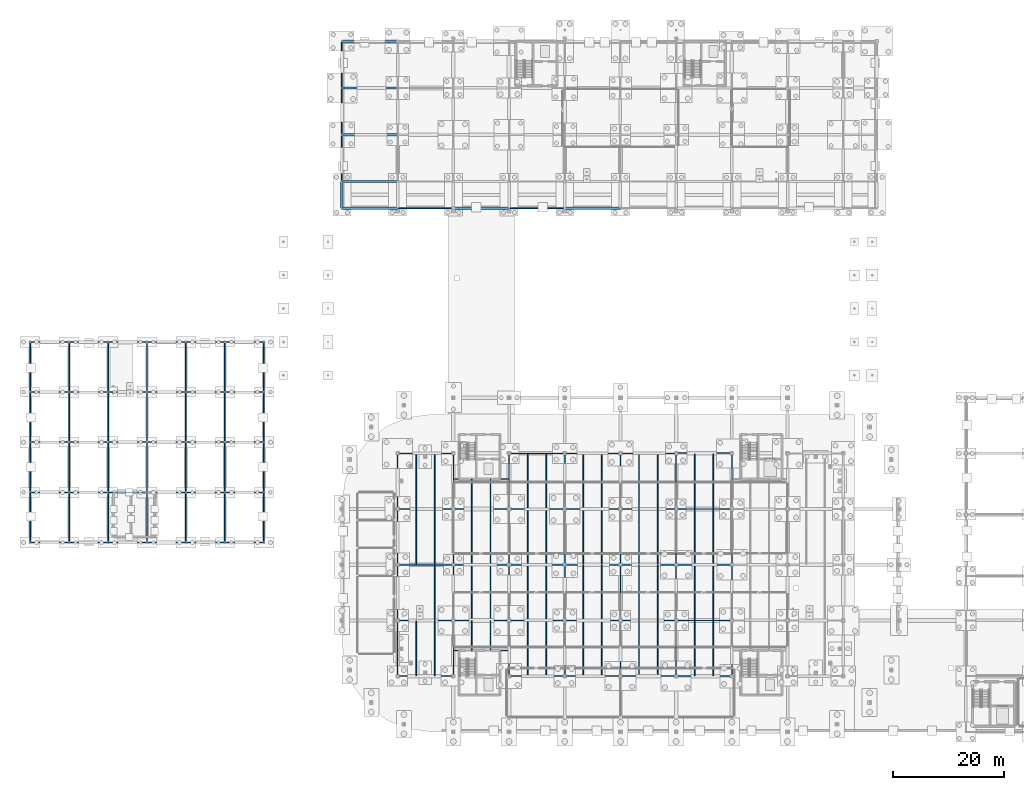
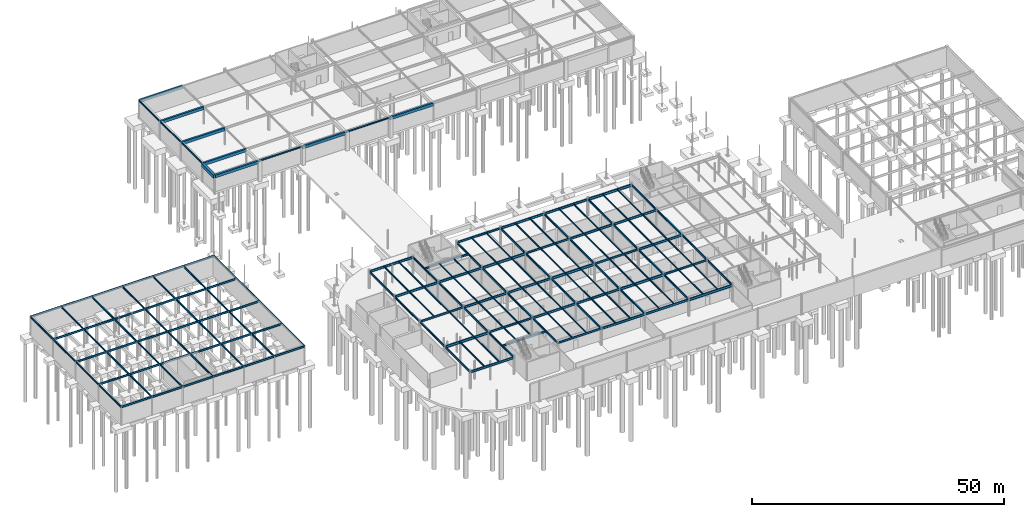
# One storey, part 57 of 75: 176 beams.
"""IFC4 building model written with IfcOpenShell, lengths in metres."""

from ifc_helpers import new_model, si_unit, derived_unit, direction, frame, origin, origin_2d_with_axis, place, context, subcontext, project, spatial, rectangle, i_section, extrude, material, material_profile, profile_set, type_object, element, save


model = new_model("IFC4")

# Units and contexts
model_context = context("Model", 3, precision=1e-05, world=origin(), true_north=direction((0.0, 1.0)))
body_context = subcontext(model_context, "Body", "Model", "MODEL_VIEW")
ifc_project = project(units=[si_unit("LENGTHUNIT", "METRE"), si_unit("AREAUNIT", "SQUARE_METRE"), si_unit("VOLUMEUNIT", "CUBIC_METRE"), si_unit("PLANEANGLEUNIT", "RADIAN"), si_unit("MASSUNIT", "GRAM", prefix="KILO"), derived_unit("THERMALTRANSMITTANCEUNIT", [(si_unit("POWERUNIT", "WATT"), 1), (si_unit("LENGTHUNIT", "METRE"), -2), (si_unit("THERMODYNAMICTEMPERATUREUNIT", "KELVIN"), -1)])], contexts=[model_context])

# Site, building, storey
site_placement = place(None, origin())
site = spatial("IfcSite", under=ifc_project, at=site_placement, CompositionType="ELEMENT")
building_placement = place(site_placement, origin())
building = spatial("IfcBuilding", under=site, at=building_placement, Name="Cinnabar Yard Market Hall", CompositionType="ELEMENT")
storey_placement = place(building_placement, frame((0.0, 0.0, -4.5)))
storey = spatial("IfcBuildingStorey", under=building, at=storey_placement, Name="B1", CompositionType="ELEMENT", Elevation=-4.5)

# Beams
ifc_material_1 = material(Name="Steel Grade 300 (300 MPa)", Category="steel")
ifc_material_profile_1 = material_profile(ifc_material_1, i_section(OverallWidth=0.208984375, OverallDepth=0.532958984375, WebThickness=0.01025390625, FlangeThickness=0.015625, FilletRadius=0.013916015625, at=origin_2d_with_axis()), Name="530UB92.4")
ifc_profile_set_1 = profile_set([ifc_material_profile_1], Name="Steel Grade 300 (300 MPa)")
beam_type_1 = type_object("IfcBeamType", Name="BM-B03", PredefinedType="BEAM", material=ifc_profile_set_1)
for number, where, z_axis, x_axis, name in (
    (1, (76.0, 54.0, 3.93359375), (1.0, 0.0, 0.0), (0.0, 1.0, 0.0), "L00 Primary Girder X 00004"),
    (2, (86.0, 44.0, 3.93359375), (1.0, 0.0, 0.0), (0.0, 1.0, 0.0), "L00 Primary Girder X 00007"),
    (3, (96.0, 34.0, 3.93359375), (1.0, 0.0, 0.0), (0.0, 1.0, 0.0), "L00 Primary Girder X 00010"),
    (4, (106.0, 24.0, 3.93359375), (1.0, 0.0, 0.0), (0.0, 1.0, 0.0), "L00 Primary Girder X 00014"),
    (5, (106.0, 64.0, 3.93359375), (1.0, 0.0, 0.0), (0.0, 1.0, 0.0), "L00 Primary Girder X 00018"),
    (6, (116.0, 54.0, 3.93359375), (1.0, 0.0, 0.0), (0.0, 1.0, 0.0), "L00 Primary Girder X 00022"),
    (7, (126.0, 44.0, 3.93359375), (1.0, 0.0, 0.0), (0.0, 1.0, 0.0), "L00 Primary Girder X 00026"),
):
    element("IfcBeam", number, at=place(storey_placement, frame(where, z_axis=z_axis, x_axis=x_axis)), inside=storey, type_object=beam_type_1, Name=name, PredefinedType="BEAM", context=body_context, shape_type="SweptSolid", body=[
        extrude(i_section(OverallWidth=0.208984375, OverallDepth=0.532958984375, WebThickness=0.01025390625, FlangeThickness=0.015625, FilletRadius=0.013916015625, at=origin_2d_with_axis()), origin(), (0.0, 0.0, 1.0), 10.0),
    ])
ifc_material_profile_2 = material_profile(ifc_material_1, i_section(OverallWidth=0.19091796875, OverallDepth=0.46044921875, WebThickness=0.010009765625, FlangeThickness=0.01611328125, FilletRadius=0.011474609375, at=origin_2d_with_axis()), Name="460UB82.1")
ifc_profile_set_2 = profile_set([ifc_material_profile_2], Name="Steel Grade 300 (300 MPa)")
beam_type_2 = type_object("IfcBeamType", Name="BM-B04", PredefinedType="BEAM", material=ifc_profile_set_2)
for number, where, z_axis, x_axis, name in (
    (8, (76.0, 24.0, 3.9697265625), (0.0, 1.0, 0.0), (-1.0, 0.0, 0.0), "L00 Primary Girder Y 00037"),
    (9, (76.0, 34.0, 3.9697265625), (0.0, 1.0, 0.0), (-1.0, 0.0, 0.0), "L00 Primary Girder Y 00040"),
    (10, (76.0, 44.0, 3.9697265625), (0.0, 1.0, 0.0), (-1.0, 0.0, 0.0), "L00 Primary Girder Y 00042"),
    (11, (76.0, 54.0, 3.9697265625), (0.0, 1.0, 0.0), (-1.0, 0.0, 0.0), "L00 Primary Girder Y 00045"),
    (12, (86.0, 24.0, 3.9697265625), (0.0, 1.0, 0.0), (-1.0, 0.0, 0.0), "L00 Primary Girder Y 00048"),
    (13, (86.0, 34.0, 3.9697265625), (0.0, 1.0, 0.0), (-1.0, 0.0, 0.0), "L00 Primary Girder Y 00051"),
    (14, (86.0, 44.0, 3.9697265625), (0.0, 1.0, 0.0), (-1.0, 0.0, 0.0), "L00 Primary Girder Y 00054"),
    (15, (86.0, 54.0, 3.9697265625), (0.0, 1.0, 0.0), (-1.0, 0.0, 0.0), "L00 Primary Girder Y 00057"),
    (16, (96.0, 24.0, 3.9697265625), (0.0, 1.0, 0.0), (-1.0, 0.0, 0.0), "L00 Primary Girder Y 00060"),
    (17, (96.0, 34.0, 3.9697265625), (0.0, 1.0, 0.0), (-1.0, 0.0, 0.0), "L00 Primary Girder Y 00063"),
    (18, (96.0, 44.0, 3.9697265625), (0.0, 1.0, 0.0), (-1.0, 0.0, 0.0), "L00 Primary Girder Y 00066"),
    (19, (96.0, 54.0, 3.9697265625), (0.0, 1.0, 0.0), (-1.0, 0.0, 0.0), "L00 Primary Girder Y 00069"),
    (20, (106.0, 24.0, 3.9697265625), (0.0, 1.0, 0.0), (-1.0, 0.0, 0.0), "L00 Primary Girder Y 00072"),
    (21, (106.0, 34.0, 3.9697265625), (0.0, 1.0, 0.0), (-1.0, 0.0, 0.0), "L00 Primary Girder Y 00075"),
    (22, (106.0, 44.0, 3.9697265625), (0.0, 1.0, 0.0), (-1.0, 0.0, 0.0), "L00 Primary Girder Y 00078"),
    (23, (106.0, 54.0, 3.9697265625), (0.0, 1.0, 0.0), (-1.0, 0.0, 0.0), "L00 Primary Girder Y 00081"),
    (24, (116.0, 24.0, 3.9697265625), (0.0, 1.0, 0.0), (-1.0, 0.0, 0.0), "L00 Primary Girder Y 00084"),
    (25, (116.0, 34.0, 3.9697265625), (0.0, 1.0, 0.0), (-1.0, 0.0, 0.0), "L00 Primary Girder Y 00087"),
    (26, (116.0, 44.0, 3.9697265625), (0.0, 1.0, 0.0), (-1.0, 0.0, 0.0), "L00 Primary Girder Y 00090"),
    (27, (116.0, 54.0, 3.9697265625), (0.0, 1.0, 0.0), (-1.0, 0.0, 0.0), "L00 Primary Girder Y 00093"),
    (28, (126.0, 24.0, 3.9697265625), (0.0, 1.0, 0.0), (-1.0, 0.0, 0.0), "L00 Primary Girder Y 00096"),
    (29, (126.0, 34.0, 3.9697265625), (0.0, 1.0, 0.0), (-1.0, 0.0, 0.0), "L00 Primary Girder Y 00099"),
    (30, (126.0, 44.0, 3.9697265625), (0.0, 1.0, 0.0), (-1.0, 0.0, 0.0), "L00 Primary Girder Y 00102"),
    (31, (126.0, 54.0, 3.9697265625), (0.0, 1.0, 0.0), (-1.0, 0.0, 0.0), "L00 Primary Girder Y 00105"),
    (32, (136.0, 24.0, 3.9697265625), (0.0, 1.0, 0.0), (-1.0, 0.0, 0.0), "L00 Primary Girder Y 00108"),
    (33, (136.0, 34.0, 3.9697265625), (0.0, 1.0, 0.0), (-1.0, 0.0, 0.0), "L00 Primary Girder Y 00111"),
    (34, (136.0, 44.0, 3.9697265625), (0.0, 1.0, 0.0), (-1.0, 0.0, 0.0), "L00 Primary Girder Y 00114"),
    (35, (136.0, 54.0, 3.9697265625), (0.0, 1.0, 0.0), (-1.0, 0.0, 0.0), "L00 Primary Girder Y 00117"),
):
    element("IfcBeam", number, at=place(storey_placement, frame(where, z_axis=z_axis, x_axis=x_axis)), inside=storey, type_object=beam_type_2, Name=name, PredefinedType="BEAM", context=body_context, shape_type="SweptSolid", body=[
        extrude(i_section(OverallWidth=0.19091796875, OverallDepth=0.46044921875, WebThickness=0.010009765625, FlangeThickness=0.01611328125, FilletRadius=0.011474609375, at=origin_2d_with_axis()), origin(), (0.0, 0.0, 1.0), 10.0),
    ])
ifc_material_profile_3 = material_profile(ifc_material_1, i_section(OverallWidth=0.18994140625, OverallDepth=0.453857421875, WebThickness=0.008544921875, FlangeThickness=0.0126953125, FilletRadius=0.011474609375, at=origin_2d_with_axis()), Name="460UB67.1")
ifc_profile_set_3 = profile_set([ifc_material_profile_3], Name="Steel Grade 300 (300 MPa)")
beam_type_3 = type_object("IfcBeamType", Name="BM-B05", PredefinedType="BEAM", material=ifc_profile_set_3)
for number, where, z_axis, x_axis, name in (
    (36, (86.080078125, 28.60009765625, 3.97314453125), (1.0, 0.0, 0.0), (0.0, 1.0, 0.0), "B1 Core Trimmer Girder 00134"),
    (37, (86.080078125, 59.39990234375, 3.97314453125), (1.0, 0.0, 0.0), (0.0, 1.0, 0.0), "B1 Core Trimmer Girder 00137"),
):
    element("IfcBeam", number, at=place(storey_placement, frame(where, z_axis=z_axis, x_axis=x_axis)), inside=storey, type_object=beam_type_3, Name=name, PredefinedType="BEAM", context=body_context, shape_type="SweptSolid", body=[
        extrude(i_section(OverallWidth=0.18994140625, OverallDepth=0.453857421875, WebThickness=0.008544921875, FlangeThickness=0.0126953125, FilletRadius=0.011474609375, at=origin_2d_with_axis()), origin(), (0.0, 0.0, 1.0), 9.83984375),
    ])
for number, where, z_axis, x_axis, name in (
    (38, (10.0, 48.0, 3.9931640625), (1.0, 0.0, 0.0), (0.0, 1.0, 0.0), "V2 B1 Girder X 00576"),
    (39, (10.0, 57.0, 3.9931640625), (1.0, 0.0, 0.0), (0.0, 1.0, 0.0), "V2 B1 Girder X 00577"),
    (40, (10.0, 66.0, 3.9931640625), (1.0, 0.0, 0.0), (0.0, 1.0, 0.0), "V2 B1 Girder X 00578"),
    (41, (10.0, 75.0, 3.9931640625), (1.0, 0.0, 0.0), (0.0, 1.0, 0.0), "V2 B1 Girder X 00579"),
    (42, (10.0, 84.0, 3.9931640625), (1.0, 0.0, 0.0), (0.0, 1.0, 0.0), "V2 B1 Girder X 00580"),
    (43, (17.0, 48.0, 3.9931640625), (1.0, 0.0, 0.0), (0.0, 1.0, 0.0), "V2 B1 Girder X 00581"),
    (44, (17.0, 57.0, 3.9931640625), (1.0, 0.0, 0.0), (0.0, 1.0, 0.0), "V2 B1 Girder X 00582"),
    (45, (17.0, 66.0, 3.9931640625), (1.0, 0.0, 0.0), (0.0, 1.0, 0.0), "V2 B1 Girder X 00583"),
    (46, (17.0, 75.0, 3.9931640625), (1.0, 0.0, 0.0), (0.0, 1.0, 0.0), "V2 B1 Girder X 00584"),
    (47, (17.0, 84.0, 3.9931640625), (1.0, 0.0, 0.0), (0.0, 1.0, 0.0), "V2 B1 Girder X 00585"),
    (48, (24.0, 48.0, 3.9931640625), (1.0, 0.0, 0.0), (0.0, 1.0, 0.0), "V2 B1 Girder X 00586"),
    (49, (24.0, 57.0, 3.9931640625), (1.0, 0.0, 0.0), (0.0, 1.0, 0.0), "V2 B1 Girder X 00587"),
    (50, (24.0, 66.0, 3.9931640625), (1.0, 0.0, 0.0), (0.0, 1.0, 0.0), "V2 B1 Girder X 00588"),
    (51, (24.0, 75.0, 3.9931640625), (1.0, 0.0, 0.0), (0.0, 1.0, 0.0), "V2 B1 Girder X 00589"),
    (52, (24.0, 84.0, 3.9931640625), (1.0, 0.0, 0.0), (0.0, 1.0, 0.0), "V2 B1 Girder X 00590"),
    (53, (31.0, 48.0, 3.9931640625), (1.0, 0.0, 0.0), (0.0, 1.0, 0.0), "V2 B1 Girder X 00591"),
    (54, (31.0, 57.0, 3.9931640625), (1.0, 0.0, 0.0), (0.0, 1.0, 0.0), "V2 B1 Girder X 00592"),
    (55, (31.0, 66.0, 3.9931640625), (1.0, 0.0, 0.0), (0.0, 1.0, 0.0), "V2 B1 Girder X 00593"),
    (56, (31.0, 75.0, 3.9931640625), (1.0, 0.0, 0.0), (0.0, 1.0, 0.0), "V2 B1 Girder X 00594"),
    (57, (31.0, 84.0, 3.9931640625), (1.0, 0.0, 0.0), (0.0, 1.0, 0.0), "V2 B1 Girder X 00595"),
    (58, (38.0, 48.0, 3.9931640625), (1.0, 0.0, 0.0), (0.0, 1.0, 0.0), "V2 B1 Girder X 00596"),
    (59, (38.0, 57.0, 3.9931640625), (1.0, 0.0, 0.0), (0.0, 1.0, 0.0), "V2 B1 Girder X 00597"),
    (60, (38.0, 66.0, 3.9931640625), (1.0, 0.0, 0.0), (0.0, 1.0, 0.0), "V2 B1 Girder X 00598"),
    (61, (38.0, 75.0, 3.9931640625), (1.0, 0.0, 0.0), (0.0, 1.0, 0.0), "V2 B1 Girder X 00599"),
    (62, (38.0, 84.0, 3.9931640625), (1.0, 0.0, 0.0), (0.0, 1.0, 0.0), "V2 B1 Girder X 00600"),
    (63, (45.0, 48.0, 3.9931640625), (1.0, 0.0, 0.0), (0.0, 1.0, 0.0), "V2 B1 Girder X 00601"),
    (64, (45.0, 57.0, 3.9931640625), (1.0, 0.0, 0.0), (0.0, 1.0, 0.0), "V2 B1 Girder X 00602"),
    (65, (45.0, 66.0, 3.9931640625), (1.0, 0.0, 0.0), (0.0, 1.0, 0.0), "V2 B1 Girder X 00603"),
    (66, (45.0, 75.0, 3.9931640625), (1.0, 0.0, 0.0), (0.0, 1.0, 0.0), "V2 B1 Girder X 00604"),
    (67, (45.0, 84.0, 3.9931640625), (1.0, 0.0, 0.0), (0.0, 1.0, 0.0), "V2 B1 Girder X 00605"),
):
    element("IfcBeam", number, at=place(storey_placement, frame(where, z_axis=z_axis, x_axis=x_axis)), inside=storey, type_object=beam_type_3, Name=name, PredefinedType="BEAM", context=body_context, shape_type="SweptSolid", body=[
        extrude(i_section(OverallWidth=0.18994140625, OverallDepth=0.453857421875, WebThickness=0.008544921875, FlangeThickness=0.0126953125, FilletRadius=0.011474609375, at=origin_2d_with_axis()), origin(), (0.0, 0.0, 1.0), 7.0),
    ])
ifc_material_profile_4 = material_profile(ifc_material_1, i_section(OverallWidth=0.177978515625, OverallDepth=0.406494140625, WebThickness=0.0078125, FlangeThickness=0.0126953125, FilletRadius=0.011474609375, at=origin_2d_with_axis()), Name="410UB59.7")
ifc_profile_set_4 = profile_set([ifc_material_profile_4], Name="Steel Grade 300 (300 MPa)")
beam_type_4 = type_object("IfcBeamType", Name="BM-B06", PredefinedType="BEAM", material=ifc_profile_set_4)
for number, where, z_axis, x_axis, name in (
    (68, (10.0, 48.0, 4.016845703125), (0.0, 1.0, 0.0), (-1.0, 0.0, 0.0), "V2 B1 Girder Y 00606"),
    (69, (10.0, 57.0, 4.016845703125), (0.0, 1.0, 0.0), (-1.0, 0.0, 0.0), "V2 B1 Girder Y 00607"),
    (70, (10.0, 66.0, 4.016845703125), (0.0, 1.0, 0.0), (-1.0, 0.0, 0.0), "V2 B1 Girder Y 00608"),
    (71, (10.0, 75.0, 4.016845703125), (0.0, 1.0, 0.0), (-1.0, 0.0, 0.0), "V2 B1 Girder Y 00609"),
    (72, (17.0, 48.0, 4.016845703125), (0.0, 1.0, 0.0), (-1.0, 0.0, 0.0), "V2 B1 Girder Y 00610"),
    (73, (17.0, 57.0, 4.016845703125), (0.0, 1.0, 0.0), (-1.0, 0.0, 0.0), "V2 B1 Girder Y 00611"),
    (74, (17.0, 66.0, 4.016845703125), (0.0, 1.0, 0.0), (-1.0, 0.0, 0.0), "V2 B1 Girder Y 00612"),
    (75, (17.0, 75.0, 4.016845703125), (0.0, 1.0, 0.0), (-1.0, 0.0, 0.0), "V2 B1 Girder Y 00613"),
    (76, (24.0, 48.0, 4.016845703125), (0.0, 1.0, 0.0), (-1.0, 0.0, 0.0), "V2 B1 Girder Y 00614"),
    (77, (24.0, 57.0, 4.016845703125), (0.0, 1.0, 0.0), (-1.0, 0.0, 0.0), "V2 B1 Girder Y 00615"),
    (78, (24.0, 66.0, 4.016845703125), (0.0, 1.0, 0.0), (-1.0, 0.0, 0.0), "V2 B1 Girder Y 00616"),
    (79, (24.0, 75.0, 4.016845703125), (0.0, 1.0, 0.0), (-1.0, 0.0, 0.0), "V2 B1 Girder Y 00617"),
    (80, (31.0, 48.0, 4.016845703125), (0.0, 1.0, 0.0), (-1.0, 0.0, 0.0), "V2 B1 Girder Y 00618"),
    (81, (31.0, 57.0, 4.016845703125), (0.0, 1.0, 0.0), (-1.0, 0.0, 0.0), "V2 B1 Girder Y 00619"),
    (82, (31.0, 66.0, 4.016845703125), (0.0, 1.0, 0.0), (-1.0, 0.0, 0.0), "V2 B1 Girder Y 00620"),
    (83, (31.0, 75.0, 4.016845703125), (0.0, 1.0, 0.0), (-1.0, 0.0, 0.0), "V2 B1 Girder Y 00621"),
    (84, (38.0, 48.0, 4.016845703125), (0.0, 1.0, 0.0), (-1.0, 0.0, 0.0), "V2 B1 Girder Y 00622"),
    (85, (38.0, 57.0, 4.016845703125), (0.0, 1.0, 0.0), (-1.0, 0.0, 0.0), "V2 B1 Girder Y 00623"),
    (86, (38.0, 66.0, 4.016845703125), (0.0, 1.0, 0.0), (-1.0, 0.0, 0.0), "V2 B1 Girder Y 00624"),
    (87, (38.0, 75.0, 4.016845703125), (0.0, 1.0, 0.0), (-1.0, 0.0, 0.0), "V2 B1 Girder Y 00625"),
    (88, (45.0, 48.0, 4.016845703125), (0.0, 1.0, 0.0), (-1.0, 0.0, 0.0), "V2 B1 Girder Y 00626"),
    (89, (45.0, 57.0, 4.016845703125), (0.0, 1.0, 0.0), (-1.0, 0.0, 0.0), "V2 B1 Girder Y 00627"),
    (90, (45.0, 66.0, 4.016845703125), (0.0, 1.0, 0.0), (-1.0, 0.0, 0.0), "V2 B1 Girder Y 00628"),
    (91, (45.0, 75.0, 4.016845703125), (0.0, 1.0, 0.0), (-1.0, 0.0, 0.0), "V2 B1 Girder Y 00629"),
    (92, (52.0, 48.0, 4.016845703125), (0.0, 1.0, 0.0), (-1.0, 0.0, 0.0), "V2 B1 Girder Y 00630"),
    (93, (52.0, 57.0, 4.016845703125), (0.0, 1.0, 0.0), (-1.0, 0.0, 0.0), "V2 B1 Girder Y 00631"),
    (94, (52.0, 66.0, 4.016845703125), (0.0, 1.0, 0.0), (-1.0, 0.0, 0.0), "V2 B1 Girder Y 00632"),
    (95, (52.0, 75.0, 4.016845703125), (0.0, 1.0, 0.0), (-1.0, 0.0, 0.0), "V2 B1 Girder Y 00633"),
):
    element("IfcBeam", number, at=place(storey_placement, frame(where, z_axis=z_axis, x_axis=x_axis)), inside=storey, type_object=beam_type_4, Name=name, PredefinedType="BEAM", context=body_context, shape_type="SweptSolid", body=[
        extrude(i_section(OverallWidth=0.177978515625, OverallDepth=0.406494140625, WebThickness=0.0078125, FlangeThickness=0.0126953125, FilletRadius=0.011474609375, at=origin_2d_with_axis()), origin(), (0.0, 0.0, 1.0), 9.0),
    ])
ifc_material_profile_5 = material_profile(ifc_material_1, i_section(OverallWidth=0.20703125, OverallDepth=0.5283203125, WebThickness=0.009521484375, FlangeThickness=0.01318359375, FilletRadius=0.013916015625, at=origin_2d_with_axis()), Name="530UB82.0")
ifc_profile_set_5 = profile_set([ifc_material_profile_5], Name="Steel Grade 300 (300 MPa)")
beam_type_5 = type_object("IfcBeamType", Name="BM-B08", PredefinedType="BEAM", material=ifc_profile_set_5)
for number, where, z_axis, x_axis, name in (
    (96, (76.0, 24.0, 3.935791015625), (1.0, 0.0, 0.0), (0.0, 1.0, 0.0), "L00 Primary Girder X 00001"),
    (97, (76.0, 64.0, 3.935791015625), (1.0, 0.0, 0.0), (0.0, 1.0, 0.0), "L00 Primary Girder X 00005"),
    (98, (86.0, 54.0, 3.935791015625), (1.0, 0.0, 0.0), (0.0, 1.0, 0.0), "L00 Primary Girder X 00008"),
    (99, (96.0, 44.0, 3.935791015625), (1.0, 0.0, 0.0), (0.0, 1.0, 0.0), "L00 Primary Girder X 00011"),
    (100, (106.0, 34.0, 3.935791015625), (1.0, 0.0, 0.0), (0.0, 1.0, 0.0), "L00 Primary Girder X 00015"),
    (101, (116.0, 24.0, 3.935791015625), (1.0, 0.0, 0.0), (0.0, 1.0, 0.0), "L00 Primary Girder X 00019"),
    (102, (116.0, 64.0, 3.935791015625), (1.0, 0.0, 0.0), (0.0, 1.0, 0.0), "L00 Primary Girder X 00023"),
    (103, (126.0, 54.0, 3.935791015625), (1.0, 0.0, 0.0), (0.0, 1.0, 0.0), "L00 Primary Girder X 00027"),
):
    element("IfcBeam", number, at=place(storey_placement, frame(where, z_axis=z_axis, x_axis=x_axis)), inside=storey, type_object=beam_type_5, Name=name, PredefinedType="BEAM", context=body_context, shape_type="SweptSolid", body=[
        extrude(i_section(OverallWidth=0.20703125, OverallDepth=0.5283203125, WebThickness=0.009521484375, FlangeThickness=0.01318359375, FilletRadius=0.013916015625, at=origin_2d_with_axis()), origin(), (0.0, 0.0, 1.0), 10.0),
    ])
ifc_material_profile_6 = material_profile(ifc_material_1, i_section(OverallWidth=0.22802734375, OverallDepth=0.60693359375, WebThickness=0.01123046875, FlangeThickness=0.017333984375, FilletRadius=0.013916015625, at=origin_2d_with_axis()), Name="610UB113")
ifc_profile_set_6 = profile_set([ifc_material_profile_6], Name="Steel Grade 300 (300 MPa)")
beam_type_6 = type_object("IfcBeamType", Name="BM-B12", PredefinedType="BEAM", material=ifc_profile_set_6)
for number, where, z_axis, x_axis, name in (
    (104, (76.0, 34.0, 3.896484375), (1.0, 0.0, 0.0), (0.0, 1.0, 0.0), "L00 Primary Girder X 00002"),
    (105, (96.0, 54.0, 3.896484375), (1.0, 0.0, 0.0), (0.0, 1.0, 0.0), "L00 Primary Girder X 00012"),
    (106, (106.0, 44.0, 3.896484375), (1.0, 0.0, 0.0), (0.0, 1.0, 0.0), "L00 Primary Girder X 00016"),
    (107, (116.0, 34.0, 3.896484375), (1.0, 0.0, 0.0), (0.0, 1.0, 0.0), "L00 Primary Girder X 00020"),
    (108, (126.0, 24.0, 3.896484375), (1.0, 0.0, 0.0), (0.0, 1.0, 0.0), "L00 Primary Girder X 00024"),
    (109, (126.0, 64.0, 3.896484375), (1.0, 0.0, 0.0), (0.0, 1.0, 0.0), "L00 Primary Girder X 00028"),
):
    element("IfcBeam", number, at=place(storey_placement, frame(where, z_axis=z_axis, x_axis=x_axis)), inside=storey, type_object=beam_type_6, Name=name, PredefinedType="BEAM", context=body_context, shape_type="SweptSolid", body=[
        extrude(i_section(OverallWidth=0.22802734375, OverallDepth=0.60693359375, WebThickness=0.01123046875, FlangeThickness=0.017333984375, FilletRadius=0.013916015625, at=origin_2d_with_axis()), origin(), (0.0, 0.0, 1.0), 10.0),
    ])
ifc_material_profile_7 = material_profile(ifc_material_1, i_section(OverallWidth=0.18994140625, OverallDepth=0.45751953125, WebThickness=0.009033203125, FlangeThickness=0.014404296875, FilletRadius=0.011474609375, at=origin_2d_with_axis()), Name="460UB74.6")
ifc_profile_set_7 = profile_set([ifc_material_profile_7], Name="Steel Grade 300 (300 MPa)")
beam_type_7 = type_object("IfcBeamType", Name="BM-B13", PredefinedType="BEAM", material=ifc_profile_set_7)
for number, where, z_axis, x_axis, name in (
    (110, (76.0, 44.0, 3.97119140625), (1.0, 0.0, 0.0), (0.0, 1.0, 0.0), "L00 Primary Girder X 00003"),
    (111, (86.0, 34.0, 3.97119140625), (1.0, 0.0, 0.0), (0.0, 1.0, 0.0), "L00 Primary Girder X 00006"),
    (112, (96.0, 24.0, 3.97119140625), (1.0, 0.0, 0.0), (0.0, 1.0, 0.0), "L00 Primary Girder X 00009"),
    (113, (96.0, 64.0, 3.97119140625), (1.0, 0.0, 0.0), (0.0, 1.0, 0.0), "L00 Primary Girder X 00013"),
    (114, (106.0, 54.0, 3.97119140625), (1.0, 0.0, 0.0), (0.0, 1.0, 0.0), "L00 Primary Girder X 00017"),
    (115, (116.0, 44.0, 3.97119140625), (1.0, 0.0, 0.0), (0.0, 1.0, 0.0), "L00 Primary Girder X 00021"),
    (116, (126.0, 34.0, 3.97119140625), (1.0, 0.0, 0.0), (0.0, 1.0, 0.0), "L00 Primary Girder X 00025"),
):
    element("IfcBeam", number, at=place(storey_placement, frame(where, z_axis=z_axis, x_axis=x_axis)), inside=storey, type_object=beam_type_7, Name=name, PredefinedType="BEAM", context=body_context, shape_type="SweptSolid", body=[
        extrude(i_section(OverallWidth=0.18994140625, OverallDepth=0.45751953125, WebThickness=0.009033203125, FlangeThickness=0.014404296875, FilletRadius=0.011474609375, at=origin_2d_with_axis()), origin(), (0.0, 0.0, 1.0), 10.0),
    ])
ifc_material_profile_8 = material_profile(ifc_material_1, i_section(OverallWidth=0.166015625, OverallDepth=0.30712890625, WebThickness=0.006591796875, FlangeThickness=0.01171875, FilletRadius=0.011474609375, at=origin_2d_with_axis()), Name="310UB46.2")
ifc_profile_set_8 = profile_set([ifc_material_profile_8], Name="Steel Grade 300 (300 MPa)")
beam_type_8 = type_object("IfcBeamType", Name="BM-J01", PredefinedType="JOIST", material=ifc_profile_set_8)
for number, where, z_axis, x_axis, name in (
    (117, (79.330078125, 24.074951171875, 4.04638671875), (0.0, 1.0, 0.0), (-1.0, 0.0, 0.0), "L00 Floor Joist 00038"),
    (118, (82.669921875, 24.074951171875, 4.04638671875), (0.0, 1.0, 0.0), (-1.0, 0.0, 0.0), "L00 Floor Joist 00039"),
    (119, (82.669921875, 34.074951171875, 4.04638671875), (0.0, 1.0, 0.0), (-1.0, 0.0, 0.0), "L00 Floor Joist 00041"),
    (120, (79.330078125, 44.074951171875, 4.04638671875), (0.0, 1.0, 0.0), (-1.0, 0.0, 0.0), "L00 Floor Joist 00043"),
    (121, (82.669921875, 44.074951171875, 4.04638671875), (0.0, 1.0, 0.0), (-1.0, 0.0, 0.0), "L00 Floor Joist 00044"),
    (122, (79.330078125, 54.074951171875, 4.04638671875), (0.0, 1.0, 0.0), (-1.0, 0.0, 0.0), "L00 Floor Joist 00046"),
    (123, (82.669921875, 54.074951171875, 4.04638671875), (0.0, 1.0, 0.0), (-1.0, 0.0, 0.0), "L00 Floor Joist 00047"),
):
    element("IfcBeam", number, at=place(storey_placement, frame(where, z_axis=z_axis, x_axis=x_axis)), inside=storey, type_object=beam_type_8, Name=name, PredefinedType="JOIST", context=body_context, shape_type="SweptSolid", body=[
        extrude(i_section(OverallWidth=0.166015625, OverallDepth=0.30712890625, WebThickness=0.006591796875, FlangeThickness=0.01171875, FilletRadius=0.011474609375, at=origin_2d_with_axis()), origin(), (0.0, 0.0, 1.0), 9.85009765625),
    ])
for number, where, z_axis, x_axis, name in (
    (124, (89.330078125, 28.675048828125, 4.04638671875), (0.0, 1.0, 0.0), (-1.0, 0.0, 0.0), "L00 Floor Joist 00049"),
    (125, (92.669921875, 28.675048828125, 4.04638671875), (0.0, 1.0, 0.0), (-1.0, 0.0, 0.0), "L00 Floor Joist 00050"),
):
    element("IfcBeam", number, at=place(storey_placement, frame(where, z_axis=z_axis, x_axis=x_axis)), inside=storey, type_object=beam_type_8, Name=name, PredefinedType="JOIST", context=body_context, shape_type="SweptSolid", body=[
        extrude(i_section(OverallWidth=0.166015625, OverallDepth=0.30712890625, WebThickness=0.006591796875, FlangeThickness=0.01171875, FilletRadius=0.011474609375, at=origin_2d_with_axis()), origin(), (0.0, 0.0, 1.0), 5.25),
    ])
for number, where, z_axis, x_axis, name in (
    (126, (89.330078125, 34.074951171875, 4.04638671875), (0.0, 1.0, 0.0), (-1.0, 0.0, 0.0), "L00 Floor Joist 00052"),
    (127, (92.669921875, 34.074951171875, 4.04638671875), (0.0, 1.0, 0.0), (-1.0, 0.0, 0.0), "L00 Floor Joist 00053"),
    (128, (89.330078125, 44.074951171875, 4.04638671875), (0.0, 1.0, 0.0), (-1.0, 0.0, 0.0), "L00 Floor Joist 00055"),
    (129, (92.669921875, 44.074951171875, 4.04638671875), (0.0, 1.0, 0.0), (-1.0, 0.0, 0.0), "L00 Floor Joist 00056"),
):
    element("IfcBeam", number, at=place(storey_placement, frame(where, z_axis=z_axis, x_axis=x_axis)), inside=storey, type_object=beam_type_8, Name=name, PredefinedType="JOIST", context=body_context, shape_type="SweptSolid", body=[
        extrude(i_section(OverallWidth=0.166015625, OverallDepth=0.30712890625, WebThickness=0.006591796875, FlangeThickness=0.01171875, FilletRadius=0.011474609375, at=origin_2d_with_axis()), origin(), (0.0, 0.0, 1.0), 9.85009765625),
    ])
for number, where, z_axis, x_axis, name in (
    (130, (89.330078125, 54.074951171875, 4.04638671875), (0.0, 1.0, 0.0), (-1.0, 0.0, 0.0), "L00 Floor Joist 00058"),
    (131, (92.669921875, 54.074951171875, 4.04638671875), (0.0, 1.0, 0.0), (-1.0, 0.0, 0.0), "L00 Floor Joist 00059"),
):
    element("IfcBeam", number, at=place(storey_placement, frame(where, z_axis=z_axis, x_axis=x_axis)), inside=storey, type_object=beam_type_8, Name=name, PredefinedType="JOIST", context=body_context, shape_type="SweptSolid", body=[
        extrude(i_section(OverallWidth=0.166015625, OverallDepth=0.30712890625, WebThickness=0.006591796875, FlangeThickness=0.01171875, FilletRadius=0.011474609375, at=origin_2d_with_axis()), origin(), (0.0, 0.0, 1.0), 5.25),
    ])
for number, where, z_axis, x_axis, name in (
    (132, (99.330078125, 24.074951171875, 4.04638671875), (0.0, 1.0, 0.0), (-1.0, 0.0, 0.0), "L00 Floor Joist 00061"),
    (133, (102.669921875, 24.074951171875, 4.04638671875), (0.0, 1.0, 0.0), (-1.0, 0.0, 0.0), "L00 Floor Joist 00062"),
    (134, (99.330078125, 34.074951171875, 4.04638671875), (0.0, 1.0, 0.0), (-1.0, 0.0, 0.0), "L00 Floor Joist 00064"),
    (135, (102.669921875, 34.074951171875, 4.04638671875), (0.0, 1.0, 0.0), (-1.0, 0.0, 0.0), "L00 Floor Joist 00065"),
    (136, (99.330078125, 44.074951171875, 4.04638671875), (0.0, 1.0, 0.0), (-1.0, 0.0, 0.0), "L00 Floor Joist 00067"),
    (137, (102.669921875, 44.074951171875, 4.04638671875), (0.0, 1.0, 0.0), (-1.0, 0.0, 0.0), "L00 Floor Joist 00068"),
    (138, (99.330078125, 54.074951171875, 4.04638671875), (0.0, 1.0, 0.0), (-1.0, 0.0, 0.0), "L00 Floor Joist 00070"),
    (139, (102.669921875, 54.074951171875, 4.04638671875), (0.0, 1.0, 0.0), (-1.0, 0.0, 0.0), "L00 Floor Joist 00071"),
    (140, (109.330078125, 24.074951171875, 4.04638671875), (0.0, 1.0, 0.0), (-1.0, 0.0, 0.0), "L00 Floor Joist 00073"),
    (141, (112.669921875, 24.074951171875, 4.04638671875), (0.0, 1.0, 0.0), (-1.0, 0.0, 0.0), "L00 Floor Joist 00074"),
    (142, (109.330078125, 34.074951171875, 4.04638671875), (0.0, 1.0, 0.0), (-1.0, 0.0, 0.0), "L00 Floor Joist 00076"),
    (143, (112.669921875, 34.074951171875, 4.04638671875), (0.0, 1.0, 0.0), (-1.0, 0.0, 0.0), "L00 Floor Joist 00077"),
    (144, (109.330078125, 44.074951171875, 4.04638671875), (0.0, 1.0, 0.0), (-1.0, 0.0, 0.0), "L00 Floor Joist 00079"),
    (145, (112.669921875, 44.074951171875, 4.04638671875), (0.0, 1.0, 0.0), (-1.0, 0.0, 0.0), "L00 Floor Joist 00080"),
    (146, (109.330078125, 54.074951171875, 4.04638671875), (0.0, 1.0, 0.0), (-1.0, 0.0, 0.0), "L00 Floor Joist 00082"),
    (147, (112.669921875, 54.074951171875, 4.04638671875), (0.0, 1.0, 0.0), (-1.0, 0.0, 0.0), "L00 Floor Joist 00083"),
    (148, (119.330078125, 24.074951171875, 4.04638671875), (0.0, 1.0, 0.0), (-1.0, 0.0, 0.0), "L00 Floor Joist 00085"),
    (149, (122.669921875, 24.074951171875, 4.04638671875), (0.0, 1.0, 0.0), (-1.0, 0.0, 0.0), "L00 Floor Joist 00086"),
    (150, (119.330078125, 34.074951171875, 4.04638671875), (0.0, 1.0, 0.0), (-1.0, 0.0, 0.0), "L00 Floor Joist 00088"),
    (151, (122.669921875, 34.074951171875, 4.04638671875), (0.0, 1.0, 0.0), (-1.0, 0.0, 0.0), "L00 Floor Joist 00089"),
    (152, (119.330078125, 44.074951171875, 4.04638671875), (0.0, 1.0, 0.0), (-1.0, 0.0, 0.0), "L00 Floor Joist 00091"),
    (153, (122.669921875, 44.074951171875, 4.04638671875), (0.0, 1.0, 0.0), (-1.0, 0.0, 0.0), "L00 Floor Joist 00092"),
    (154, (119.330078125, 54.074951171875, 4.04638671875), (0.0, 1.0, 0.0), (-1.0, 0.0, 0.0), "L00 Floor Joist 00094"),
    (155, (122.669921875, 54.074951171875, 4.04638671875), (0.0, 1.0, 0.0), (-1.0, 0.0, 0.0), "L00 Floor Joist 00095"),
    (156, (129.330078125, 24.074951171875, 4.04638671875), (0.0, 1.0, 0.0), (-1.0, 0.0, 0.0), "L00 Floor Joist 00097"),
    (157, (132.669921875, 24.074951171875, 4.04638671875), (0.0, 1.0, 0.0), (-1.0, 0.0, 0.0), "L00 Floor Joist 00098"),
    (158, (129.330078125, 34.074951171875, 4.04638671875), (0.0, 1.0, 0.0), (-1.0, 0.0, 0.0), "L00 Floor Joist 00100"),
    (159, (132.669921875, 34.074951171875, 4.04638671875), (0.0, 1.0, 0.0), (-1.0, 0.0, 0.0), "L00 Floor Joist 00101"),
    (160, (129.330078125, 44.074951171875, 4.04638671875), (0.0, 1.0, 0.0), (-1.0, 0.0, 0.0), "L00 Floor Joist 00103"),
    (161, (132.669921875, 44.074951171875, 4.04638671875), (0.0, 1.0, 0.0), (-1.0, 0.0, 0.0), "L00 Floor Joist 00104"),
    (162, (129.330078125, 54.074951171875, 4.04638671875), (0.0, 1.0, 0.0), (-1.0, 0.0, 0.0), "L00 Floor Joist 00106"),
    (163, (132.669921875, 54.074951171875, 4.04638671875), (0.0, 1.0, 0.0), (-1.0, 0.0, 0.0), "L00 Floor Joist 00107"),
):
    element("IfcBeam", number, at=place(storey_placement, frame(where, z_axis=z_axis, x_axis=x_axis)), inside=storey, type_object=beam_type_8, Name=name, PredefinedType="JOIST", context=body_context, shape_type="SweptSolid", body=[
        extrude(i_section(OverallWidth=0.166015625, OverallDepth=0.30712890625, WebThickness=0.006591796875, FlangeThickness=0.01171875, FilletRadius=0.011474609375, at=origin_2d_with_axis()), origin(), (0.0, 0.0, 1.0), 9.85009765625),
    ])
ifc_material_2 = material(Name="Concrete 40 MPa", Category="concrete")
ifc_material_profile_9 = material_profile(ifc_material_2, rectangle(XDim=0.39990234375, YDim=0.699951171875, at=origin_2d_with_axis()), Name="RCB-400x700")
ifc_profile_set_9 = profile_set([ifc_material_profile_9], Name="Concrete 40 MPa")
beam_type_9 = type_object("IfcBeamType", Name="BM-RCB1", PredefinedType="BEAM", material=ifc_profile_set_9)
for number, where, z_axis, x_axis, name in (
    (164, (66.06005859375, 108.0, 3.85009765625), (1.0, 0.0, 0.0), (0.0, 1.0, 0.0), "V3 B1 Girder X 00765"),
    (165, (66.06005859375, 112.800048828125, 3.85009765625), (1.0, 0.0, 0.0), (0.0, 1.0, 0.0), "V3 B1 Girder X 00766"),
    (166, (66.06005859375, 121.199951171875, 3.85009765625), (1.0, 0.0, 0.0), (0.0, 1.0, 0.0), "V3 B1 Girder X 00767"),
    (167, (66.06005859375, 129.60009765625, 3.85009765625), (1.0, 0.0, 0.0), (0.0, 1.0, 0.0), "V3 B1 Girder X 00768"),
    (168, (66.06005859375, 138.0, 3.85009765625), (1.0, 0.0, 0.0), (0.0, 1.0, 0.0), "V3 B1 Girder X 00769"),
    (169, (86.06005859375, 108.0, 3.85009765625), (1.0, 0.0, 0.0), (0.0, 1.0, 0.0), "V3 B1 Girder X 00775"),
    (170, (106.06005859375, 108.0, 3.85009765625), (1.0, 0.0, 0.0), (0.0, 1.0, 0.0), "V3 B1 Girder X 00785"),
):
    element("IfcBeam", number, at=place(storey_placement, frame(where, z_axis=z_axis, x_axis=x_axis)), inside=storey, type_object=beam_type_9, Name=name, PredefinedType="BEAM", context=body_context, shape_type="SweptSolid", body=[
        extrude(rectangle(XDim=0.39990234375, YDim=0.699951171875, at=origin_2d_with_axis()), origin(), (0.0, 0.0, 1.0), 9.8798828125),
    ])
ifc_material_profile_10 = material_profile(ifc_material_2, rectangle(XDim=0.449951171875, YDim=0.85009765625, at=origin_2d_with_axis()), Name="RCB-450x850")
ifc_profile_set_10 = profile_set([ifc_material_profile_10], Name="Concrete 40 MPa")
beam_type_10 = type_object("IfcBeamType", Name="BM-RCB2", PredefinedType="BEAM", material=ifc_profile_set_10)
beam_1_placement = place(storey_placement, frame((66.0, 108.06005859375, 3.77490234375), z_axis=(0.0, 1.0, 0.0), x_axis=(-1.0, 0.0, 0.0)))
element("IfcBeam", 171, at=beam_1_placement, inside=storey, type_object=beam_type_10, Name="V3 B1 Girder Y 00815", PredefinedType="BEAM", context=body_context, shape_type="SweptSolid", body=[
    extrude(rectangle(XDim=0.449951171875, YDim=0.85009765625, at=origin_2d_with_axis()), origin(), (0.0, 0.0, 1.0), 4.679931640625),
])
ifc_material_profile_11 = material_profile(ifc_material_1, i_section(OverallWidth=0.172119140625, OverallDepth=0.358642578125, WebThickness=0.008056640625, FlangeThickness=0.012939453125, FilletRadius=0.011474609375, at=origin_2d_with_axis()), Name="360UB56.7")
ifc_profile_set_11 = profile_set([ifc_material_profile_11], Name="Steel Grade 300 (300 MPa)")
beam_type_11 = type_object("IfcBeamType", Name="BM-SP02", PredefinedType="SPANDREL", material=ifc_profile_set_11)
for number, where, z_axis, x_axis, name in (
    (172, (76.06005859375, 108.0, 4.020751953125), (1.0, 0.0, 0.0), (0.0, 1.0, 0.0), "V3 B1 Girder X 00770"),
    (173, (96.06005859375, 108.0, 4.020751953125), (1.0, 0.0, 0.0), (0.0, 1.0, 0.0), "V3 B1 Girder X 00780"),
):
    element("IfcBeam", number, at=place(storey_placement, frame(where, z_axis=z_axis, x_axis=x_axis)), inside=storey, type_object=beam_type_11, Name=name, PredefinedType="SPANDREL", context=body_context, shape_type="SweptSolid", body=[
        extrude(i_section(OverallWidth=0.172119140625, OverallDepth=0.358642578125, WebThickness=0.008056640625, FlangeThickness=0.012939453125, FilletRadius=0.011474609375, at=origin_2d_with_axis()), origin(), (0.0, 0.0, 1.0), 9.8798828125),
    ])
beam_2_placement = place(storey_placement, frame((66.0, 112.860107421875, 4.020751953125), z_axis=(0.0, 1.0, 0.0), x_axis=(-1.0, 0.0, 0.0)))
element("IfcBeam", 174, at=beam_2_placement, inside=storey, type_object=beam_type_11, Name="V3 B1 Girder Y 00816", PredefinedType="SPANDREL", context=body_context, shape_type="SweptSolid", body=[
    extrude(i_section(OverallWidth=0.172119140625, OverallDepth=0.358642578125, WebThickness=0.008056640625, FlangeThickness=0.012939453125, FilletRadius=0.011474609375, at=origin_2d_with_axis()), origin(), (0.0, 0.0, 1.0), 8.27978515625),
])
for number, where, z_axis, x_axis, name in (
    (175, (66.0, 121.260009765625, 4.020751953125), (0.0, 1.0, 0.0), (-1.0, 0.0, 0.0), "V3 B1 Girder Y 00817"),
    (176, (66.0, 129.659912109375, 4.020751953125), (0.0, 1.0, 0.0), (-1.0, 0.0, 0.0), "V3 B1 Girder Y 00818"),
):
    element("IfcBeam", number, at=place(storey_placement, frame(where, z_axis=z_axis, x_axis=x_axis)), inside=storey, type_object=beam_type_11, Name=name, PredefinedType="SPANDREL", context=body_context, shape_type="SweptSolid", body=[
        extrude(i_section(OverallWidth=0.172119140625, OverallDepth=0.358642578125, WebThickness=0.008056640625, FlangeThickness=0.012939453125, FilletRadius=0.011474609375, at=origin_2d_with_axis()), origin(), (0.0, 0.0, 1.0), 8.280029296875),
    ])

save(model, "model.ifc")
